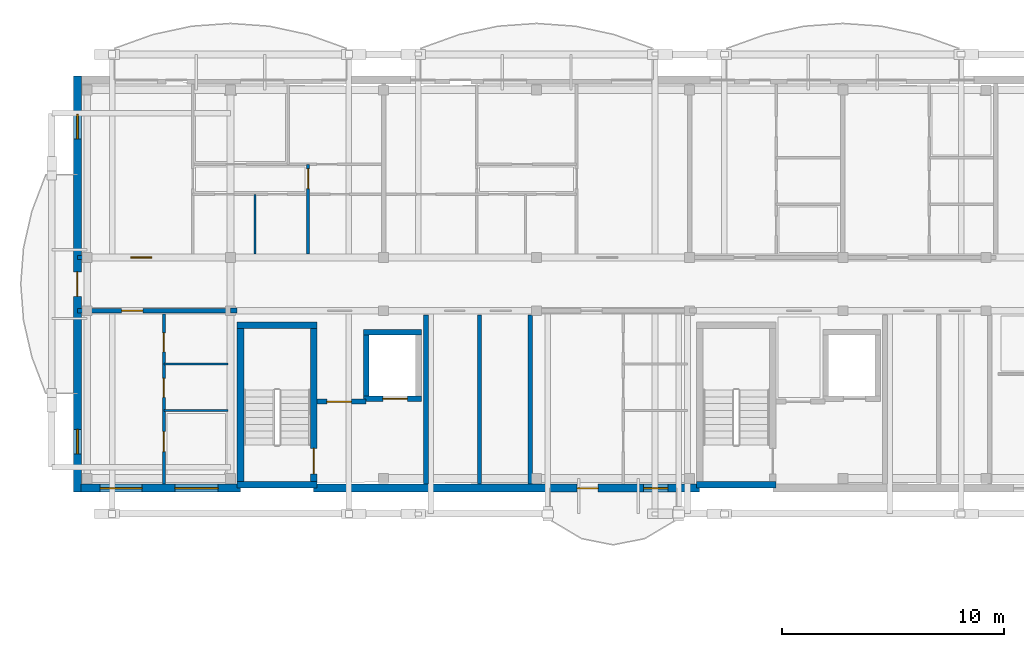
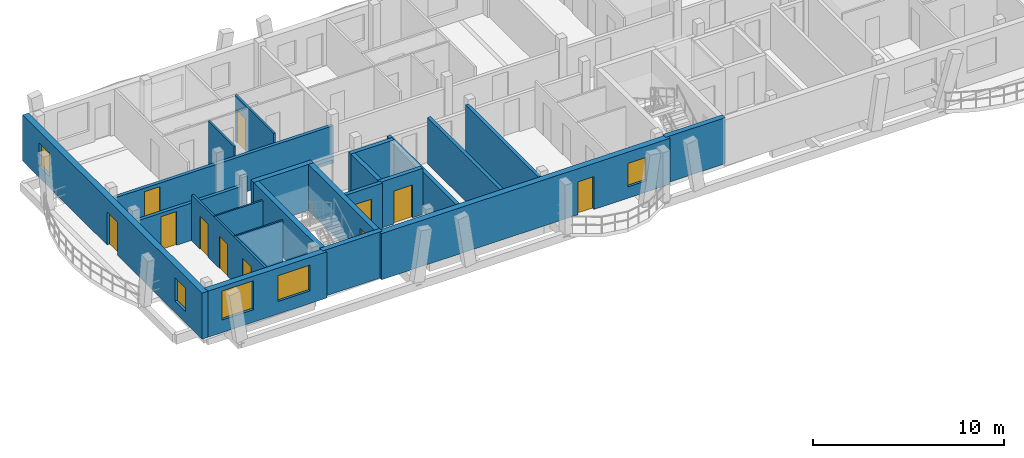
# One storey, part 24 of 52: 23 walls, 11 doors, 5 windows, 16 openings.
"""IFC4 building model written with IfcOpenShell, lengths in metres."""

from ifc_helpers import new_model, si_unit, direction, frame, frame_2d, origin, origin_with_axes, place, context, subcontext, project, spatial, rectangle, extrude, material, layer, layer_set, type_object, element, fill, save


model = new_model("IFC4")

# Units and contexts
model_context = context("Model", 3, precision=1e-05, world=origin(), true_north=direction((0.0, 1.0)))
body_context = subcontext(model_context, "Body", "Model", "MODEL_VIEW")
ifc_project = project(units=[si_unit("LENGTHUNIT", "METRE"), si_unit("AREAUNIT", "SQUARE_METRE"), si_unit("VOLUMEUNIT", "CUBIC_METRE"), si_unit("PLANEANGLEUNIT", "RADIAN"), si_unit("MASSUNIT", "GRAM", prefix="KILO")], contexts=[model_context])

# Site, building, storey
site_placement = place(None, origin())
site = spatial("IfcSite", under=ifc_project, at=site_placement, CompositionType="ELEMENT")
building_placement = place(site_placement, origin())
building = spatial("IfcBuilding", under=site, at=building_placement, Name="Zavelmont Quarter", CompositionType="ELEMENT")
storey_placement = place(building_placement, frame((0.0, 0.0, 14.39990234375)))
storey = spatial("IfcBuildingStorey", under=building, at=storey_placement, Name="L04", CompositionType="ELEMENT", Elevation=14.39990234375)

# Wall, openings, windows
ifc_material_1 = material(Name="Natural Belgian limestone", Category="masonry")
ifc_layer_1 = layer(ifc_material_1, 0.360107421875)
ifc_layer_set_1 = layer_set([ifc_layer_1], Name="Natural Belgian limestone")
wall_type_1 = type_object("IfcWallType", Name="EW02", PredefinedType="STANDARD", material=ifc_layer_set_1)
wall_1_placement = place(storey_placement, frame((0.169921875, 97.60009765625, 0.0), z_axis=(0.0, 0.0, 1.0), x_axis=(1.0, 0.0, 0.0)))
wall_1 = element("IfcWall", 1, at=wall_1_placement, inside=storey, type_object=wall_type_1, Name="L04 exterior limestone wall EW02", PredefinedType="STANDARD", context=body_context, shape_type="SweptSolid", body=[
    extrude(rectangle(XDim=7.18017578125, YDim=0.360107421875, at=frame_2d((3.590087890625, 0.0))), origin(), (0.0, 0.0, 1.0), 2.940185546875),
])
opening_1_placement = place(wall_1_placement, frame((0.85009765625, 0.0, 0.800048828125)))
opening_1 = element("IfcOpeningElement", 2, at=opening_1_placement, cuts=wall_1, Name="Opening WN20", PredefinedType="OPENING", context=body_context, shape_type="SweptSolid", body=[
    extrude(rectangle(XDim=1.89990234375, YDim=1.85009765625, at=frame_2d((0.949951171875, 0.925048828125))), frame((0.0, 0.19189453125, 0.0), z_axis=(0.0, -1.0, 0.0), x_axis=(1.0, 0.0, 0.0)), (0.0, 0.0, 1.0), 0.384033203125),
])
opening_2_placement = place(wall_1_placement, frame((4.22509765625, 0.0, 0.800048828125)))
opening_2 = element("IfcOpeningElement", 3, at=opening_2_placement, cuts=wall_1, Name="Opening WN24", PredefinedType="OPENING", context=body_context, shape_type="SweptSolid", body=[
    extrude(rectangle(XDim=1.949951171875, YDim=1.64990234375, at=frame_2d((0.97509765625, 0.824951171875))), frame((0.0, 0.19189453125, 0.0), z_axis=(0.0, -1.0, 0.0), x_axis=(1.0, 0.0, 0.0)), (0.0, 0.0, 1.0), 0.384033203125),
])
ifc_material_2 = material(Name="Double low-E insulated glazing in thermally broken aluminium frame", Category="aluminium")
window_type_1 = type_object("IfcWindowType", Name="WN20", PartitioningType="SINGLE_PANEL", PredefinedType="WINDOW", material=ifc_material_2)
window_1_placement = place(opening_1_placement, origin_with_axes())
window_1 = element("IfcWindow", 4, at=window_1_placement, inside=storey, type_object=window_type_1, Name="L04 window WN20", OverallHeight=1.85009765625, OverallWidth=1.89990234375, PartitioningType="SINGLE_PANEL", PredefinedType="WINDOW", context=body_context, shape_type="SweptSolid", body=[
    extrude(rectangle(XDim=1.89990234375, YDim=1.85009765625, at=frame_2d((0.949951171875, 0.925048828125))), frame((0.0, 0.030029296875, 0.0), z_axis=(0.0, -1.0, 0.0), x_axis=(1.0, 0.0, 0.0)), (0.0, 0.0, 1.0), 0.06005859375),
])
fill(opening_1, window_1)
window_type_2 = type_object("IfcWindowType", Name="WN24", PartitioningType="SINGLE_PANEL", PredefinedType="WINDOW", material=ifc_material_2)
window_2_placement = place(opening_2_placement, origin_with_axes())
window_2 = element("IfcWindow", 5, at=window_2_placement, inside=storey, type_object=window_type_2, Name="L04 window WN24", OverallHeight=1.64990234375, OverallWidth=1.949951171875, PartitioningType="SINGLE_PANEL", PredefinedType="WINDOW", context=body_context, shape_type="SweptSolid", body=[
    extrude(rectangle(XDim=1.949951171875, YDim=1.64990234375, at=frame_2d((0.97509765625, 0.824951171875))), frame((0.0, 0.030029296875, 0.0), z_axis=(0.0, -1.0, 0.0), x_axis=(1.0, 0.0, 0.0)), (0.0, 0.0, 1.0), 0.06005859375),
])
fill(opening_2, window_2)

# Wall, openings, door, window
wall_2_placement = place(storey_placement, frame((10.64990234375, 97.60009765625, 0.0), z_axis=(0.0, 0.0, 1.0), x_axis=(1.0, 0.0, 0.0)))
wall_2 = element("IfcWall", 6, at=wall_2_placement, inside=storey, type_object=wall_type_1, Name="L04 exterior limestone wall EW02", PredefinedType="STANDARD", context=body_context, shape_type="SweptSolid", body=[
    extrude(rectangle(XDim=17.400146484375, YDim=0.360107421875, at=frame_2d((8.7001953125, 0.0))), origin(), (0.0, 0.0, 1.0), 2.940185546875),
])
opening_3_placement = place(wall_2_placement, frame((11.8701171875, 0.0, 0.0)))
opening_3 = element("IfcOpeningElement", 7, at=opening_3_placement, cuts=wall_2, Name="Opening DR04", PredefinedType="OPENING", context=body_context, shape_type="SweptSolid", body=[
    extrude(rectangle(XDim=0.949951171875, YDim=2.10009765625, at=frame_2d((0.47509765625, 1.050048828125))), frame((0.0, 0.19189453125, 0.0), z_axis=(0.0, -1.0, 0.0), x_axis=(1.0, 0.0, 0.0)), (0.0, 0.0, 1.0), 0.384033203125),
])
opening_4_placement = place(wall_2_placement, frame((14.8701171875, 0.0, 0.719970703125)))
opening_4 = element("IfcOpeningElement", 8, at=opening_4_placement, cuts=wall_2, Name="Opening WN09", PredefinedType="OPENING", context=body_context, shape_type="SweptSolid", body=[
    extrude(rectangle(XDim=1.10009765625, YDim=1.5, at=frame_2d((0.550048828125, 0.75))), frame((0.0, 0.19189453125, 0.0), z_axis=(0.0, -1.0, 0.0), x_axis=(1.0, 0.0, 0.0)), (0.0, 0.0, 1.0), 0.384033203125),
])
ifc_material_3 = material(Name="Thermally broken aluminium and double safety glass", Category="aluminium")
door_type_1 = type_object("IfcDoorType", Name="DR04", OperationType="NOTDEFINED", PredefinedType="DOOR", material=ifc_material_3)
door_1_placement = place(opening_3_placement, origin_with_axes())
door_1 = element("IfcDoor", 9, at=door_1_placement, inside=storey, type_object=door_type_1, Name="Block B L04 glazed balcony door", OperationType="SINGLE_SWING_RIGHT", OverallHeight=2.10009765625, OverallWidth=0.949951171875, PredefinedType="DOOR", context=body_context, shape_type="SweptSolid", body=[
    extrude(rectangle(XDim=0.949951171875, YDim=2.10009765625, at=frame_2d((0.47509765625, 1.050048828125))), frame((0.0, 0.02490234375, 0.0), z_axis=(0.0, -1.0, 0.0), x_axis=(1.0, 0.0, 0.0)), (0.0, 0.0, 1.0), 0.050048828125),
])
fill(opening_3, door_1)
window_type_3 = type_object("IfcWindowType", Name="WN09", PartitioningType="SINGLE_PANEL", PredefinedType="WINDOW", material=ifc_material_2)
window_3_placement = place(opening_4_placement, origin_with_axes())
window_3 = element("IfcWindow", 10, at=window_3_placement, inside=storey, type_object=window_type_3, Name="L04 window WN09", OverallHeight=1.5, OverallWidth=1.10009765625, PartitioningType="SINGLE_PANEL", PredefinedType="WINDOW", context=body_context, shape_type="SweptSolid", body=[
    extrude(rectangle(XDim=1.10009765625, YDim=1.5, at=frame_2d((0.550048828125, 0.75))), frame((0.0, 0.030029296875, 0.0), z_axis=(0.0, -1.0, 0.0), x_axis=(1.0, 0.0, 0.0)), (0.0, 0.0, 1.0), 0.06005859375),
])
fill(opening_4, window_3)

# Wall, openings, door, windows
wall_3_placement = place(storey_placement, frame((0.0, 97.419921875, 0.0), z_axis=(0.0, 0.0, 1.0), x_axis=(0.0, 1.0, 0.0)))
wall_3 = element("IfcWall", 11, at=wall_3_placement, inside=storey, type_object=wall_type_1, Name="L04 exterior limestone wall EW02", PredefinedType="STANDARD", context=body_context, shape_type="SweptSolid", body=[
    extrude(rectangle(XDim=18.760009765625, YDim=0.360107421875, at=frame_2d((9.3798828125, 0.0))), origin(), (0.0, 0.0, 1.0), 2.940185546875),
])
opening_5_placement = place(wall_3_placement, frame((8.830078125, 0.0, 0.0)))
opening_5 = element("IfcOpeningElement", 12, at=opening_5_placement, cuts=wall_3, Name="Opening DR04B", PredefinedType="OPENING", context=body_context, shape_type="SweptSolid", body=[
    extrude(rectangle(XDim=1.10009765625, YDim=2.10009765625, at=frame_2d((0.550048828125, 1.050048828125))), frame((0.0, 0.19189453125, 0.0), z_axis=(0.0, -1.0, 0.0), x_axis=(1.0, 0.0, 0.0)), (0.0, 0.0, 1.0), 0.384033203125),
])
opening_6_placement = place(wall_3_placement, frame((1.72998046875, 0.0, 0.719970703125)))
opening_6 = element("IfcOpeningElement", 13, at=opening_6_placement, cuts=wall_3, Name="Opening WN09", PredefinedType="OPENING", context=body_context, shape_type="SweptSolid", body=[
    extrude(rectangle(XDim=1.10009765625, YDim=1.5, at=frame_2d((0.550048828125, 0.75))), frame((0.0, 0.19189453125, 0.0), z_axis=(0.0, -1.0, 0.0), x_axis=(1.0, 0.0, 0.0)), (0.0, 0.0, 1.0), 0.384033203125),
])
opening_7_placement = place(wall_3_placement, frame((15.929931640625, 0.0, 0.719970703125)))
opening_7 = element("IfcOpeningElement", 14, at=opening_7_placement, cuts=wall_3, Name="Opening WN09", PredefinedType="OPENING", context=body_context, shape_type="SweptSolid", body=[
    extrude(rectangle(XDim=1.10009765625, YDim=1.5, at=frame_2d((0.550048828125, 0.75))), frame((0.0, 0.19189453125, 0.0), z_axis=(0.0, -1.0, 0.0), x_axis=(1.0, 0.0, 0.0)), (0.0, 0.0, 1.0), 0.384033203125),
])
door_type_2 = type_object("IfcDoorType", Name="DR04B", OperationType="NOTDEFINED", PredefinedType="DOOR", material=ifc_material_3)
door_2_placement = place(opening_5_placement, frame((1.10009765625, 0.0, 0.0), z_axis=(0.0, 0.0, 1.0), x_axis=(-1.0, 0.0, 0.0)))
door_2 = element("IfcDoor", 15, at=door_2_placement, inside=storey, type_object=door_type_2, Name="Block B L04 terrace or vase balcony door", OperationType="SINGLE_SWING_RIGHT", OverallHeight=2.10009765625, OverallWidth=1.10009765625, PredefinedType="DOOR", context=body_context, shape_type="SweptSolid", body=[
    extrude(rectangle(XDim=1.10009765625, YDim=2.10009765625, at=frame_2d((0.550048828125, 1.050048828125))), frame((0.0, 0.02490234375, 0.0), z_axis=(0.0, -1.0, 0.0), x_axis=(1.0, 0.0, 0.0)), (0.0, 0.0, 1.0), 0.050048828125),
])
fill(opening_5, door_2)
window_4_placement = place(opening_6_placement, origin_with_axes())
window_4 = element("IfcWindow", 16, at=window_4_placement, inside=storey, type_object=window_type_3, Name="L04 window WN09", OverallHeight=1.5, OverallWidth=1.10009765625, PartitioningType="SINGLE_PANEL", PredefinedType="WINDOW", context=body_context, shape_type="SweptSolid", body=[
    extrude(rectangle(XDim=1.10009765625, YDim=1.5, at=frame_2d((0.550048828125, 0.75))), frame((0.0, 0.030029296875, 0.0), z_axis=(0.0, -1.0, 0.0), x_axis=(1.0, 0.0, 0.0)), (0.0, 0.0, 1.0), 0.06005859375),
])
fill(opening_6, window_4)
window_5_placement = place(opening_7_placement, origin_with_axes())
window_5 = element("IfcWindow", 17, at=window_5_placement, inside=storey, type_object=window_type_3, Name="L04 window WN09", OverallHeight=1.5, OverallWidth=1.10009765625, PartitioningType="SINGLE_PANEL", PredefinedType="WINDOW", context=body_context, shape_type="SweptSolid", body=[
    extrude(rectangle(XDim=1.10009765625, YDim=1.5, at=frame_2d((0.550048828125, 0.75))), frame((0.0, 0.030029296875, 0.0), z_axis=(0.0, -1.0, 0.0), x_axis=(1.0, 0.0, 0.0)), (0.0, 0.0, 1.0), 0.06005859375),
])
fill(opening_7, window_5)

# Walls
ifc_material_4 = material(Name="Calcium-silicate blockwork and acoustic plaster", Category="masonry")
ifc_layer_2 = layer(ifc_material_4, 0.199951171875)
ifc_layer_set_2 = layer_set([ifc_layer_2], Name="Calcium-silicate blockwork and acoustic plaster")
wall_type_2 = type_object("IfcWallType", Name="IW01", PredefinedType="PARTITIONING", material=ifc_layer_set_2)
for number, where, z_axis, x_axis, name in (
    (18, (18.125, 97.800048828125, 0.0), (0.0, 0.0, 1.0), (0.0, 1.0, 0.0), "L04 Service riser divider wall IW01"),
    (19, (20.419921875, 97.800048828125, 0.0), (0.0, 0.0, 1.0), (0.0, 1.0, 0.0), "L04 Core service end wall IW01"),
):
    element("IfcWall", number, at=place(storey_placement, frame(where, z_axis=z_axis, x_axis=x_axis)), inside=storey, type_object=wall_type_2, Name=name, PredefinedType="PARTITIONING", context=body_context, shape_type="SweptSolid", body=[
        extrude(rectangle(XDim=7.599853515625, YDim=0.199951171875, at=frame_2d((3.7998046875, 0.0))), origin(), (0.0, 0.0, 1.0), 2.940185546875),
    ])

# Wall, opening, door
wall_4_placement = place(storey_placement, frame((0.0, 108.0, 0.0), z_axis=(0.0, 0.0, 1.0), x_axis=(1.0, 0.0, 0.0)))
wall_4 = element("IfcWall", 20, at=wall_4_placement, inside=storey, type_object=wall_type_2, Name="L04 Corridor compartment wall IW01", PredefinedType="PARTITIONING", context=body_context, shape_type="SweptSolid", body=[
    extrude(rectangle(XDim=13.800048828125, YDim=0.199951171875, at=frame_2d((6.89990234375, 0.0))), origin(), (0.0, 0.0, 1.0), 2.380126953125),
])
opening_8_placement = place(wall_4_placement, frame((2.39990234375, 0.0, 0.0)))
opening_8 = element("IfcOpeningElement", 21, at=opening_8_placement, cuts=wall_4, Name="Opening DR02", PredefinedType="OPENING", context=body_context, shape_type="SweptSolid", body=[
    extrude(rectangle(XDim=0.949951171875, YDim=2.14990234375, at=frame_2d((0.47509765625, 1.074951171875))), frame((0.0, 0.11181640625, 0.0), z_axis=(0.0, -1.0, 0.0), x_axis=(1.0, 0.0, 0.0)), (0.0, 0.0, 1.0), 0.223876953125),
])
ifc_material_5 = material(Name="Solid-core oak fire leaf in steel frame", Category="steel")
door_type_3 = type_object("IfcDoorType", Name="DR02", OperationType="NOTDEFINED", PredefinedType="DOOR", material=ifc_material_5)
door_3_placement = place(opening_8_placement, origin_with_axes())
door_3 = element("IfcDoor", 22, at=door_3_placement, inside=storey, type_object=door_type_3, Name="L04 door DR02", OperationType="SINGLE_SWING_LEFT", OverallHeight=2.14990234375, OverallWidth=0.949951171875, PredefinedType="DOOR", context=body_context, shape_type="SweptSolid", body=[
    extrude(rectangle(XDim=0.949951171875, YDim=2.14990234375, at=frame_2d((0.47509765625, 1.074951171875))), frame((0.0, 0.02490234375, 0.0), z_axis=(0.0, -1.0, 0.0), x_axis=(1.0, 0.0, 0.0)), (0.0, 0.0, 1.0), 0.050048828125),
])
fill(opening_8, door_3)

wall_5_placement = place(storey_placement, frame((0.0, 105.60009765625, 0.0), z_axis=(0.0, 0.0, 1.0), x_axis=(1.0, 0.0, 0.0)))
wall_5 = element("IfcWall", 23, at=wall_5_placement, inside=storey, type_object=wall_type_2, Name="L04 Corridor compartment wall IW01", PredefinedType="PARTITIONING", context=body_context, shape_type="SweptSolid", body=[
    extrude(rectangle(XDim=6.89990234375, YDim=0.199951171875, at=frame_2d((3.449951171875, 0.0))), origin(), (0.0, 0.0, 1.0), 2.380126953125),
])
opening_9_placement = place(wall_5_placement, frame((2.0, 0.0, 0.0)))
opening_9 = element("IfcOpeningElement", 24, at=opening_9_placement, cuts=wall_5, Name="Opening DR02", PredefinedType="OPENING", context=body_context, shape_type="SweptSolid", body=[
    extrude(rectangle(XDim=0.949951171875, YDim=2.14990234375, at=frame_2d((0.47509765625, 1.074951171875))), frame((0.0, 0.11181640625, 0.0), z_axis=(0.0, -1.0, 0.0), x_axis=(1.0, 0.0, 0.0)), (0.0, 0.0, 1.0), 0.223876953125),
])
door_4_placement = place(opening_9_placement, frame((0.949951171875, 0.0, 0.0), z_axis=(0.0, 0.0, 1.0), x_axis=(-1.0, 0.0, 0.0)))
door_4 = element("IfcDoor", 25, at=door_4_placement, inside=storey, type_object=door_type_3, Name="L04 door DR02", OperationType="SINGLE_SWING_RIGHT", OverallHeight=2.14990234375, OverallWidth=0.949951171875, PredefinedType="DOOR", context=body_context, shape_type="SweptSolid", body=[
    extrude(rectangle(XDim=0.949951171875, YDim=2.14990234375, at=frame_2d((0.47509765625, 1.074951171875))), frame((0.0, 0.02490234375, 0.0), z_axis=(0.0, -1.0, 0.0), x_axis=(1.0, 0.0, 0.0)), (0.0, 0.0, 1.0), 0.050048828125),
])
fill(opening_9, door_4)

# Wall
ifc_material_6 = material(Name="Reinforced masonry fire compartment wall", Category="masonry")
ifc_layer_3 = layer(ifc_material_6, 0.22509765625)
ifc_layer_set_3 = layer_set([ifc_layer_3], Name="Reinforced masonry fire compartment wall")
wall_type_3 = type_object("IfcWallType", Name="IW02", PredefinedType="PARTITIONING", material=ifc_layer_set_3)
wall_6_placement = place(storey_placement, frame((15.7099609375, 97.800048828125, 0.0), z_axis=(0.0, 0.0, 1.0), x_axis=(0.0, 1.0, 0.0)))
element("IfcWall", 26, at=wall_6_placement, inside=storey, type_object=wall_type_3, Name="L04 Firefighting lobby enclosure wall IW02", PredefinedType="PARTITIONING", context=body_context, shape_type="SweptSolid", body=[
    extrude(rectangle(XDim=7.599853515625, YDim=0.22509765625, at=frame_2d((3.7998046875, 0.0))), origin(), (0.0, 0.0, 1.0), 2.590087890625),
])

# Wall, opening, door
wall_7_placement = place(storey_placement, frame((10.800048828125, 101.5, 0.0), z_axis=(0.0, 0.0, 1.0), x_axis=(1.0, 0.0, 0.0)))
wall_7 = element("IfcWall", 27, at=wall_7_placement, inside=storey, type_object=wall_type_3, Name="L04 Firefighting lobby threshold wall IW02", PredefinedType="PARTITIONING", context=body_context, shape_type="SweptSolid", body=[
    extrude(rectangle(XDim=2.199951171875, YDim=0.22509765625, at=frame_2d((1.10009765625, 0.0))), origin(), (0.0, 0.0, 1.0), 2.940185546875),
])
opening_10_placement = place(wall_7_placement, frame((0.449951171875, 0.0, 0.0)))
opening_10 = element("IfcOpeningElement", 28, at=opening_10_placement, cuts=wall_7, Name="Opening DR10", PredefinedType="OPENING", context=body_context, shape_type="SweptSolid", body=[
    extrude(rectangle(XDim=1.10009765625, YDim=2.14990234375, at=frame_2d((0.550048828125, 1.074951171875))), frame((0.0, 0.12451171875, 0.0), z_axis=(0.0, -1.0, 0.0), x_axis=(1.0, 0.0, 0.0)), (0.0, 0.0, 1.0), 0.2490234375),
])
ifc_material_7 = material(Name="Painted steel lobby fire door", Category="steel")
door_type_4 = type_object("IfcDoorType", Name="DR10", OperationType="NOTDEFINED", PredefinedType="DOOR", material=ifc_material_7)
door_5_placement = place(opening_10_placement, frame((1.10009765625, 0.0, 0.0), z_axis=(0.0, 0.0, 1.0), x_axis=(-1.0, 0.0, 0.0)))
door_5 = element("IfcDoor", 29, at=door_5_placement, inside=storey, type_object=door_type_4, Name="Firefighting lobby fire door", OperationType="SINGLE_SWING_RIGHT", OverallHeight=2.14990234375, OverallWidth=1.10009765625, PredefinedType="DOOR", context=body_context, shape_type="SweptSolid", body=[
    extrude(rectangle(XDim=1.10009765625, YDim=2.14990234375, at=frame_2d((0.550048828125, 1.074951171875))), frame((0.0, 0.02490234375, 0.0), z_axis=(0.0, -1.0, 0.0), x_axis=(1.0, 0.0, 0.0)), (0.0, 0.0, 1.0), 0.050048828125),
])
fill(opening_10, door_5)

# Wall
wall_8_placement = place(storey_placement, frame((6.89990234375, 105.60009765625, 0.0), z_axis=(0.0, 0.0, 1.0), x_axis=(1.0, 0.0, 0.0)))
element("IfcWall", 30, at=wall_8_placement, inside=storey, type_object=wall_type_3, Name="L04 Core corridor wall IW02", PredefinedType="PARTITIONING", context=body_context, shape_type="SweptSolid", body=[
    extrude(rectangle(XDim=0.300048828125, YDim=0.22509765625, at=frame_2d((0.14990234375, 0.0))), origin(), (0.0, 0.0, 1.0), 2.940185546875),
])

# Wall, opening, door
ifc_material_8 = material(Name="Double gypsum board on acoustic steel stud", Category="steel")
ifc_layer_4 = layer(ifc_material_8, 0.125)
ifc_layer_set_4 = layer_set([ifc_layer_4], Name="Double gypsum board on acoustic steel stud")
wall_type_4 = type_object("IfcWallType", Name="IW03", PredefinedType="PARTITIONING", material=ifc_layer_set_4)
wall_9_placement = place(storey_placement, frame((10.39990234375, 108.14990234375, 0.0), z_axis=(0.0, 0.0, 1.0), x_axis=(0.0, 1.0, 0.0)))
wall_9 = element("IfcWall", 31, at=wall_9_placement, inside=storey, type_object=wall_type_4, Name="L04 Partition IW03", PredefinedType="PARTITIONING", context=body_context, shape_type="SweptSolid", body=[
    extrude(rectangle(XDim=4.050048828125, YDim=0.125, at=frame_2d((2.02490234375, 0.0))), origin(), (0.0, 0.0, 1.0), 2.940185546875),
])
opening_11_placement = place(wall_9_placement, frame((2.949951171875, 0.0, 0.0)))
opening_11 = element("IfcOpeningElement", 32, at=opening_11_placement, cuts=wall_9, Name="Opening DR05", PredefinedType="OPENING", context=body_context, shape_type="SweptSolid", body=[
    extrude(rectangle(XDim=0.89990234375, YDim=2.10009765625, at=frame_2d((0.449951171875, 1.050048828125))), frame((0.0, 0.074462890625, 0.0), z_axis=(0.0, -1.0, 0.0), x_axis=(1.0, 0.0, 0.0)), (0.0, 0.0, 1.0), 0.14892578125),
])
ifc_material_9 = material(Name="Engineered oak flush interior door")
door_type_5 = type_object("IfcDoorType", Name="DR05", OperationType="NOTDEFINED", PredefinedType="DOOR", material=ifc_material_9)
door_6_placement = place(opening_11_placement, origin_with_axes())
door_6 = element("IfcDoor", 33, at=door_6_placement, inside=storey, type_object=door_type_5, Name="L04 door DR05", OperationType="SINGLE_SWING_RIGHT", OverallHeight=2.10009765625, OverallWidth=0.89990234375, PredefinedType="DOOR", context=body_context, shape_type="SweptSolid", body=[
    extrude(rectangle(XDim=0.89990234375, YDim=2.10009765625, at=frame_2d((0.449951171875, 1.050048828125))), frame((0.0, 0.02490234375, 0.0), z_axis=(0.0, -1.0, 0.0), x_axis=(1.0, 0.0, 0.0)), (0.0, 0.0, 1.0), 0.050048828125),
])
fill(opening_11, door_6)

# Wall, openings, doors
wall_10_placement = place(storey_placement, frame((3.89990234375, 105.449951171875, 0.0), z_axis=(0.0, 0.0, 1.0), x_axis=(0.0, -1.0, 0.0)))
wall_10 = element("IfcWall", 34, at=wall_10_placement, inside=storey, type_object=wall_type_4, Name="L04 Partition IW03", PredefinedType="PARTITIONING", context=body_context, shape_type="SweptSolid", body=[
    extrude(rectangle(XDim=7.64990234375, YDim=0.125, at=frame_2d((3.824951171875, 0.0))), origin(), (0.0, 0.0, 1.0), 2.940185546875),
])
opening_12_placement = place(wall_10_placement, frame((0.85009765625, 0.0, 0.0)))
opening_12 = element("IfcOpeningElement", 35, at=opening_12_placement, cuts=wall_10, Name="Opening DR16", PredefinedType="OPENING", context=body_context, shape_type="SweptSolid", body=[
    extrude(rectangle(XDim=0.85009765625, YDim=2.10009765625, at=frame_2d((0.425048828125, 1.050048828125))), frame((0.0, 0.074462890625, 0.0), z_axis=(0.0, -1.0, 0.0), x_axis=(1.0, 0.0, 0.0)), (0.0, 0.0, 1.0), 0.14892578125),
])
opening_13_placement = place(wall_10_placement, frame((2.89990234375, 0.0, 0.0)))
opening_13 = element("IfcOpeningElement", 36, at=opening_13_placement, cuts=wall_10, Name="Opening DR06", PredefinedType="OPENING", context=body_context, shape_type="SweptSolid", body=[
    extrude(rectangle(XDim=0.85009765625, YDim=2.050048828125, at=frame_2d((0.425048828125, 1.02490234375))), frame((0.0, 0.074462890625, 0.0), z_axis=(0.0, -1.0, 0.0), x_axis=(1.0, 0.0, 0.0)), (0.0, 0.0, 1.0), 0.14892578125),
])
opening_14_placement = place(wall_10_placement, frame((5.300048828125, 0.0, 0.0)))
opening_14 = element("IfcOpeningElement", 37, at=opening_14_placement, cuts=wall_10, Name="Opening DR05", PredefinedType="OPENING", context=body_context, shape_type="SweptSolid", body=[
    extrude(rectangle(XDim=0.89990234375, YDim=2.10009765625, at=frame_2d((0.449951171875, 1.050048828125))), frame((0.0, 0.074462890625, 0.0), z_axis=(0.0, -1.0, 0.0), x_axis=(1.0, 0.0, 0.0)), (0.0, 0.0, 1.0), 0.14892578125),
])
door_7_placement = place(opening_14_placement, origin_with_axes())
door_7 = element("IfcDoor", 38, at=door_7_placement, inside=storey, type_object=door_type_5, Name="L04 door DR05", OperationType="SINGLE_SWING_RIGHT", OverallHeight=2.10009765625, OverallWidth=0.89990234375, PredefinedType="DOOR", context=body_context, shape_type="SweptSolid", body=[
    extrude(rectangle(XDim=0.89990234375, YDim=2.10009765625, at=frame_2d((0.449951171875, 1.050048828125))), frame((0.0, 0.02490234375, 0.0), z_axis=(0.0, -1.0, 0.0), x_axis=(1.0, 0.0, 0.0)), (0.0, 0.0, 1.0), 0.050048828125),
])
fill(opening_14, door_7)
ifc_material_10 = material(Name="Moisture-resistant painted wet-room door")
door_type_6 = type_object("IfcDoorType", Name="DR06", OperationType="NOTDEFINED", PredefinedType="DOOR", material=ifc_material_10)
door_8_placement = place(opening_13_placement, frame((0.85009765625, 0.0, 0.0), z_axis=(0.0, 0.0, 1.0), x_axis=(-1.0, 0.0, 0.0)))
door_8 = element("IfcDoor", 39, at=door_8_placement, inside=storey, type_object=door_type_6, Name="L04 door DR06", OperationType="SINGLE_SWING_LEFT", OverallHeight=2.050048828125, OverallWidth=0.85009765625, PredefinedType="DOOR", context=body_context, shape_type="SweptSolid", body=[
    extrude(rectangle(XDim=0.85009765625, YDim=2.050048828125, at=frame_2d((0.425048828125, 1.02490234375))), frame((0.0, 0.02490234375, 0.0), z_axis=(0.0, -1.0, 0.0), x_axis=(1.0, 0.0, 0.0)), (0.0, 0.0, 1.0), 0.050048828125),
])
fill(opening_13, door_8)
door_type_7 = type_object("IfcDoorType", Name="DR16", OperationType="NOTDEFINED", PredefinedType="DOOR", material=ifc_material_9)
door_9_placement = place(opening_12_placement, origin_with_axes())
door_9 = element("IfcDoor", 40, at=door_9_placement, inside=storey, type_object=door_type_7, Name="L04 door DR16", OperationType="SINGLE_SWING_RIGHT", OverallHeight=2.10009765625, OverallWidth=0.85009765625, PredefinedType="DOOR", context=body_context, shape_type="SweptSolid", body=[
    extrude(rectangle(XDim=0.85009765625, YDim=2.10009765625, at=frame_2d((0.425048828125, 1.050048828125))), frame((0.0, 0.02490234375, 0.0), z_axis=(0.0, -1.0, 0.0), x_axis=(1.0, 0.0, 0.0)), (0.0, 0.0, 1.0), 0.050048828125),
])
fill(opening_12, door_9)

# Walls
ifc_material_11 = material(Name="Moisture-resistant gypsum board on steel stud", Category="steel")
ifc_layer_5 = layer(ifc_material_11, 0.10009765625)
ifc_layer_set_5 = layer_set([ifc_layer_5], Name="Moisture-resistant gypsum board on steel stud")
wall_type_5 = type_object("IfcWallType", Name="IW04", PredefinedType="PARTITIONING", material=ifc_layer_set_5)
wall_11_placement = place(storey_placement, frame((8.0, 108.14990234375, 0.0), z_axis=(0.0, 0.0, 1.0), x_axis=(0.0, 1.0, 0.0)))
element("IfcWall", 41, at=wall_11_placement, inside=storey, type_object=wall_type_5, Name="L04 Partition IW04", PredefinedType="PARTITIONING", context=body_context, shape_type="SweptSolid", body=[
    extrude(rectangle(XDim=2.7001953125, YDim=0.10009765625, at=frame_2d((1.35009765625, 0.0))), origin(), (0.0, 0.0, 1.0), 2.940185546875),
])
for number, where, z_axis, x_axis, name in (
    (42, (3.89990234375, 103.199951171875, 0.0), (0.0, 0.0, 1.0), (1.0, 0.0, 0.0), "L04 Partition IW04"),
    (43, (3.89990234375, 101.10009765625, 0.0), (0.0, 0.0, 1.0), (1.0, 0.0, 0.0), "L04 Partition IW04"),
):
    element("IfcWall", number, at=place(storey_placement, frame(where, z_axis=z_axis, x_axis=x_axis)), inside=storey, type_object=wall_type_5, Name=name, PredefinedType="PARTITIONING", context=body_context, shape_type="SweptSolid", body=[
        extrude(rectangle(XDim=2.900146484375, YDim=0.10009765625, at=frame_2d((1.4501953125, 0.0))), origin(), (0.0, 0.0, 1.0), 2.940185546875),
    ])
ifc_material_12 = material(Name="Concrete C40/50", Category="concrete")
ifc_layer_6 = layer(ifc_material_12, 0.300048828125)
ifc_layer_set_6 = layer_set([ifc_layer_6], Name="Concrete C40/50")
wall_type_6 = type_object("IfcWallType", Name="SW01", PredefinedType="SHEAR", material=ifc_layer_set_6)
wall_12_placement = place(storey_placement, frame((7.199951171875, 104.949951171875, 0.0), z_axis=(0.0, 0.0, 1.0), x_axis=(1.0, 0.0, 0.0)))
element("IfcWall", 44, at=wall_12_placement, inside=storey, type_object=wall_type_6, Name="L04 ST03 corridor shear wall SW01", PredefinedType="SHEAR", context=body_context, shape_type="SweptSolid", body=[
    extrude(rectangle(XDim=3.60009765625, YDim=0.300048828125, at=frame_2d((1.800048828125, 0.0))), origin(), (0.0, 0.0, 1.0), 2.940185546875),
])
wall_13_placement = place(storey_placement, frame((7.35009765625, 97.60009765625, 0.0), z_axis=(0.0, 0.0, 1.0), x_axis=(0.0, 1.0, 0.0)))
element("IfcWall", 45, at=wall_13_placement, inside=storey, type_object=wall_type_6, Name="L04 ST03 west shear wall SW01", PredefinedType="SHEAR", context=body_context, shape_type="SweptSolid", body=[
    extrude(rectangle(XDim=7.5, YDim=0.300048828125, at=frame_2d((3.75, 0.0))), origin(), (0.0, 0.0, 1.0), 2.940185546875),
])

# Wall, opening, door
wall_14_placement = place(storey_placement, frame((10.64990234375, 97.60009765625, 0.0), z_axis=(0.0, 0.0, 1.0), x_axis=(0.0, 1.0, 0.0)))
wall_14 = element("IfcWall", 46, at=wall_14_placement, inside=storey, type_object=wall_type_6, Name="L04 ST03 lobby shear wall SW01", PredefinedType="SHEAR", context=body_context, shape_type="SweptSolid", body=[
    extrude(rectangle(XDim=7.5, YDim=0.300048828125, at=frame_2d((3.75, 0.0))), origin(), (0.0, 0.0, 1.0), 2.940185546875),
])
opening_15_placement = place(wall_14_placement, frame((0.64990234375, 0.0, 0.0)))
opening_15 = element("IfcOpeningElement", 47, at=opening_15_placement, cuts=wall_14, Name="Opening DR09", PredefinedType="OPENING", context=body_context, shape_type="SweptSolid", body=[
    extrude(rectangle(XDim=1.14990234375, YDim=2.14990234375, at=frame_2d((0.574951171875, 1.074951171875))), frame((0.0, 0.162109375, 0.0), z_axis=(0.0, -1.0, 0.0), x_axis=(1.0, 0.0, 0.0)), (0.0, 0.0, 1.0), 0.323974609375),
])
ifc_material_13 = material(Name="Painted steel stair-core fire door", Category="steel")
door_type_8 = type_object("IfcDoorType", Name="DR09", OperationType="NOTDEFINED", PredefinedType="DOOR", material=ifc_material_13)
door_10_placement = place(opening_15_placement, origin_with_axes())
door_10 = element("IfcDoor", 48, at=door_10_placement, inside=storey, type_object=door_type_8, Name="ST03 protected stair door", OperationType="SINGLE_SWING_RIGHT", OverallHeight=2.14990234375, OverallWidth=1.14990234375, PredefinedType="DOOR", context=body_context, shape_type="SweptSolid", body=[
    extrude(rectangle(XDim=1.14990234375, YDim=2.14990234375, at=frame_2d((0.574951171875, 1.074951171875))), frame((0.0, 0.02490234375, 0.0), z_axis=(0.0, -1.0, 0.0), x_axis=(1.0, 0.0, 0.0)), (0.0, 0.0, 1.0), 0.050048828125),
])
fill(opening_15, door_10)

ifc_layer_7 = layer(ifc_material_12, 0.25)
ifc_layer_set_7 = layer_set([ifc_layer_7], Name="Concrete C40/50")
wall_type_7 = type_object("IfcWallType", Name="SW02", PredefinedType="SHEAR", material=ifc_layer_set_7)
wall_15_placement = place(storey_placement, frame((12.89990234375, 101.625, 0.0), z_axis=(0.0, 0.0, 1.0), x_axis=(1.0, 0.0, 0.0)))
wall_15 = element("IfcWall", 49, at=wall_15_placement, inside=storey, type_object=wall_type_7, Name="L04 Lift FL02 landing shaft wall SW02", PredefinedType="SHEAR", context=body_context, shape_type="SweptSolid", body=[
    extrude(rectangle(XDim=2.60009765625, YDim=0.25, at=frame_2d((1.300048828125, 0.0))), origin(), (0.0, 0.0, 1.0), 2.940185546875),
])
opening_16_placement = place(wall_15_placement, frame((0.875, 0.0, 0.0)))
opening_16 = element("IfcOpeningElement", 50, at=opening_16_placement, cuts=wall_15, Name="Opening LD02", PredefinedType="OPENING", context=body_context, shape_type="SweptSolid", body=[
    extrude(rectangle(XDim=1.10009765625, YDim=2.10009765625, at=frame_2d((0.550048828125, 1.050048828125))), frame((0.0, 0.136962890625, 0.0), z_axis=(0.0, -1.0, 0.0), x_axis=(1.0, 0.0, 0.0)), (0.0, 0.0, 1.0), 0.27392578125),
])
ifc_material_14 = material(Name="Brushed stainless-steel firefighting lift landing door", Category="steel")
door_type_9 = type_object("IfcDoorType", Name="LD02", OperationType="SLIDING_TO_LEFT", PredefinedType="DOOR", material=ifc_material_14)
door_11_placement = place(opening_16_placement, origin_with_axes())
door_11 = element("IfcDoor", 51, at=door_11_placement, inside=storey, type_object=door_type_9, Name="Lift FL02 sliding landing door", OperationType="SLIDING_TO_LEFT", OverallHeight=2.10009765625, OverallWidth=1.10009765625, PredefinedType="DOOR", context=body_context, shape_type="SweptSolid", body=[
    extrude(rectangle(XDim=1.10009765625, YDim=2.10009765625, at=frame_2d((0.550048828125, 1.050048828125))), frame((0.0, 0.02490234375, 0.0), z_axis=(0.0, -1.0, 0.0), x_axis=(1.0, 0.0, 0.0)), (0.0, 0.0, 1.0), 0.050048828125),
])
fill(opening_16, door_11)

# Walls
wall_16_placement = place(storey_placement, frame((12.89990234375, 104.625, 0.0), z_axis=(0.0, 0.0, 1.0), x_axis=(1.0, 0.0, 0.0)))
element("IfcWall", 52, at=wall_16_placement, inside=storey, type_object=wall_type_7, Name="L04 Lift FL02 back shaft wall SW02", PredefinedType="SHEAR", context=body_context, shape_type="SweptSolid", body=[
    extrude(rectangle(XDim=2.60009765625, YDim=0.25, at=frame_2d((1.300048828125, 0.0))), origin(), (0.0, 0.0, 1.0), 2.940185546875),
])
wall_17_placement = place(storey_placement, frame((13.02490234375, 101.5, 0.0), z_axis=(0.0, 0.0, 1.0), x_axis=(0.0, 1.0, 0.0)))
element("IfcWall", 53, at=wall_17_placement, inside=storey, type_object=wall_type_7, Name="L04 Lift FL02 west shaft wall SW02", PredefinedType="SHEAR", context=body_context, shape_type="SweptSolid", body=[
    extrude(rectangle(XDim=3.25, YDim=0.25, at=frame_2d((1.625, 0.0))), origin(), (0.0, 0.0, 1.0), 2.940185546875),
])
ifc_layer_8 = layer(ifc_material_12, 0.300048828125)
ifc_layer_set_8 = layer_set([ifc_layer_8], Name="Concrete C40/50")
wall_type_8 = type_object("IfcWallType", Name="SW03", PredefinedType="SHEAR", material=ifc_layer_set_8)
for number, where, z_axis, x_axis, name in (
    (54, (7.199951171875, 97.75, 0.0), (0.0, 0.0, 1.0), (1.0, 0.0, 0.0), "L04 ST03 outer shear wall SW03"),
    (55, (27.89990234375, 97.75, 0.0), (0.0, 0.0, 1.0), (1.0, 0.0, 0.0), "L04 ST04 outer shear wall SW03"),
):
    element("IfcWall", number, at=place(storey_placement, frame(where, z_axis=z_axis, x_axis=x_axis)), inside=storey, type_object=wall_type_8, Name=name, PredefinedType="SHEAR", context=body_context, shape_type="SweptSolid", body=[
        extrude(rectangle(XDim=3.60009765625, YDim=0.300048828125, at=frame_2d((1.800048828125, 0.0))), origin(), (0.0, 0.0, 1.0), 2.940185546875),
    ])

save(model, "model.ifc")
